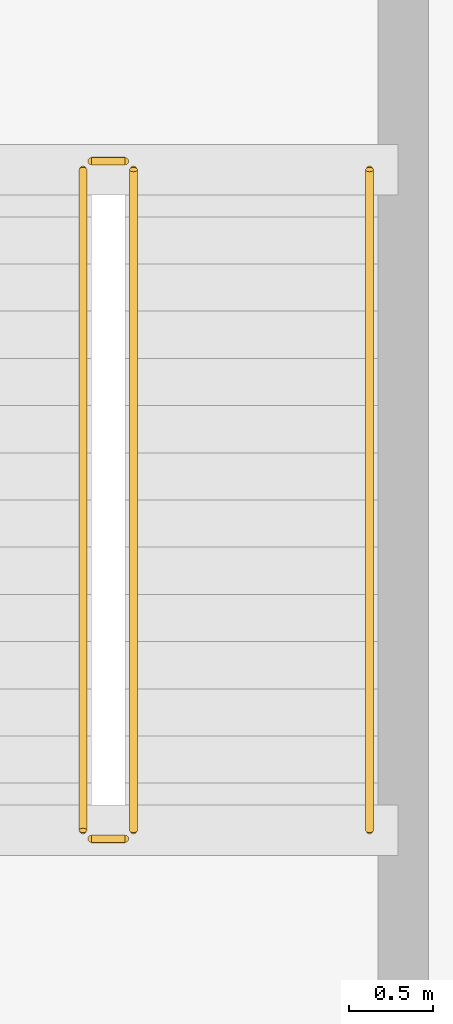
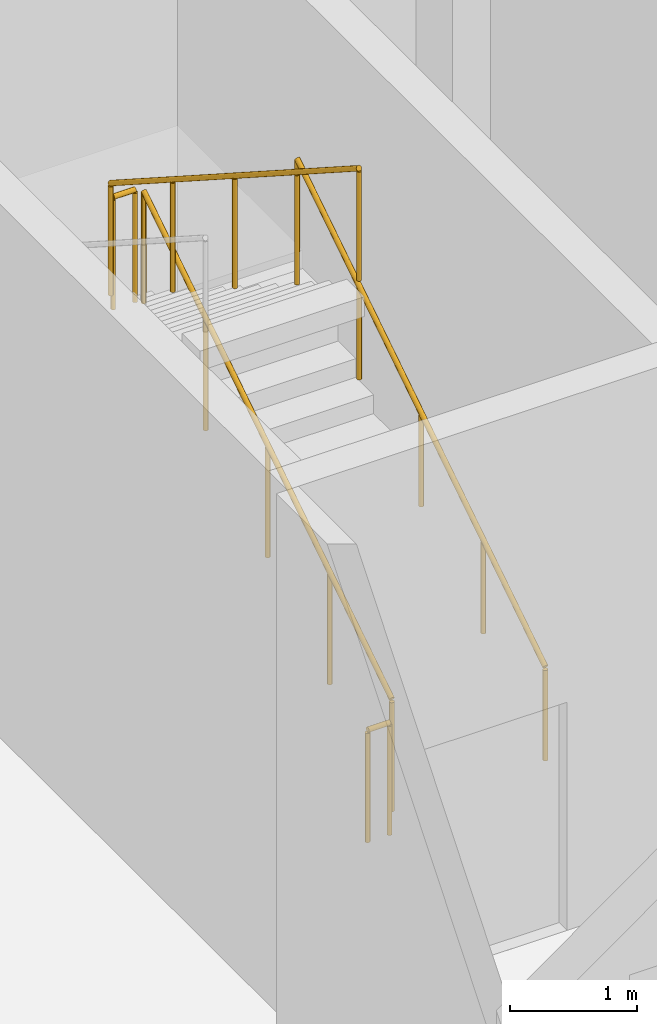
# One storey, part 68 of 84: 5 railings.
"""IFC4 building model written with IfcOpenShell, lengths in metres."""

import ifcopenshell
import ifcopenshell.guid

model = None  # the IFC model being written
_history = None  # IfcOwnerHistory: only IFC2X3 demands one
_inside = {}  # id of a spatial element -> (the spatial element, [elements in it])
_under = {}  # id of a project, library or spatial element -> (it, [spatial elements below it])
_declared = {}  # id of a project -> (the project, [libraries it declares])
_typed = {}  # id of a type object -> (the type object, [elements of that type])
_made_of = {}  # id of a material, layer set ... -> (it, [elements and type objects made of it])


def new_model(schema):
    """Start an empty IFC model of exactly this schema.

    Asked for "IFC4X3", IfcOpenShell would pick the latest addendum, in which some entities
    have other attributes; the version numbers below select the first issue.
    IFC2X3 requires an IfcOwnerHistory on every rooted entity: one is made here for all.
    """
    global model, _history
    if schema == "IFC4X3":
        model = ifcopenshell.file(schema_version=(4, 3, 0, 0))
    else:
        model = ifcopenshell.file(schema=schema)
    _inside.clear()
    _under.clear()
    _declared.clear()
    _typed.clear()
    _made_of.clear()
    _history = None
    if model.schema == "IFC2X3":
        org = make("IfcOrganization", Name="unknown")
        user = make(
            "IfcPersonAndOrganization",
            ThePerson=make("IfcPerson", FamilyName="unknown"),
            TheOrganization=org,
        )
        app = make(
            "IfcApplication",
            ApplicationDeveloper=org,
            Version="unknown",
            ApplicationFullName="unknown",
            ApplicationIdentifier="unknown",
        )
        _history = make(
            "IfcOwnerHistory",
            OwningUser=user,
            OwningApplication=app,
            ChangeAction="ADDED",
            CreationDate=0,
        )
    return model


def make(cls, **values):
    """One entity of the class cls with the attributes given. An attribute that is None is left unset."""
    return model.create_entity(
        cls, **{name: value for name, value in values.items() if value is not None}
    )


def rooted(cls, **values):
    """An entity with a GlobalId (a new one), such as an element, a storey or a relation."""
    return make(cls, GlobalId=ifcopenshell.guid.new(), OwnerHistory=_history, **values)


def si_unit(unit_type, name, prefix=None):
    """IfcSIUnit, for example si_unit("LENGTHUNIT", "METRE", prefix="MILLI")."""
    return make("IfcSIUnit", UnitType=unit_type, Prefix=prefix, Name=name)


def assignment(units):
    """IfcUnitAssignment: the units of a project."""
    return None if units is None else make("IfcUnitAssignment", Units=units)


def point(xyz):
    """IfcCartesianPoint."""
    return None if xyz is None else make("IfcCartesianPoint", Coordinates=xyz)


def direction(xyz):
    """IfcDirection."""
    return None if xyz is None else make("IfcDirection", DirectionRatios=xyz)


def frame(location, z_axis=None, x_axis=None):
    """IfcAxis2Placement3D, a coordinate frame: its origin and axes. An axis left out is left unset."""
    return make(
        "IfcAxis2Placement3D",
        Location=point(location),
        Axis=direction(z_axis),
        RefDirection=direction(x_axis),
    )


def frame_2d(location, x_axis=None):
    """IfcAxis2Placement2D, a coordinate frame in the plane: its origin and x axis."""
    return make(
        "IfcAxis2Placement2D", Location=point(location), RefDirection=direction(x_axis)
    )


def origin():
    """The frame at (0, 0, 0) with its axes left unset."""
    return frame((0.0, 0.0, 0.0))


def origin_2d():
    """The frame at (0, 0) in the plane with its x axis left unset."""
    return frame_2d((0.0, 0.0))


def place(relative_to, where):
    """IfcLocalPlacement: puts the frame where relative to a parent placement (None: the world)."""
    return make(
        "IfcLocalPlacement", PlacementRelTo=relative_to, RelativePlacement=where
    )


def context(
    kind, dimensions, precision=None, world=None, true_north=None, identifier=None
):
    """IfcGeometricRepresentationContext, for example the 3D "Model" context."""
    return make(
        "IfcGeometricRepresentationContext",
        ContextIdentifier=identifier,
        ContextType=kind,
        CoordinateSpaceDimension=dimensions,
        Precision=precision,
        WorldCoordinateSystem=world,
        TrueNorth=true_north,
    )


def subcontext(parent, identifier, kind, view, scale=None):
    """IfcGeometricRepresentationSubContext, for example "Body" below "Model"."""
    return make(
        "IfcGeometricRepresentationSubContext",
        ContextIdentifier=identifier,
        ContextType=kind,
        ParentContext=parent,
        TargetScale=scale,
        TargetView=view,
    )


def project(units=None, contexts=None):
    """IfcProject with its units and contexts."""
    return rooted(
        "IfcProject",
        Name="project",
        RepresentationContexts=contexts,
        UnitsInContext=assignment(units),
    )


def spatial(cls, under=None, at=None, **own):
    """A site, building, storey or space (cls), placed at a placement, below another one or the project."""
    s = rooted(cls, ObjectPlacement=at, **own)
    if under is not None:
        _under.setdefault(under.id(), (under, []))[1].append(s)
    return s


def profile(cls, at=None, kind="AREA", **sizes):
    """A parametric profile (cls). Its sizes go by their IFC names, for example OverallWidth=200.0."""
    return make(cls, ProfileType=kind, Position=at, **sizes)


def circle(**sizes):
    """IfcCircleProfileDef."""
    return profile("IfcCircleProfileDef", **sizes)


def extrude(swept, where, along, depth):
    """IfcExtrudedAreaSolid: the profile swept, set in the frame where, extruded along a direction by depth."""
    return make(
        "IfcExtrudedAreaSolid",
        SweptArea=swept,
        Position=where,
        ExtrudedDirection=direction(along),
        Depth=depth,
    )


def shape(context_of_items, identifier, shape_type, items):
    """IfcShapeRepresentation: the items that make up one representation, for example the "Body"."""
    return make(
        "IfcShapeRepresentation",
        ContextOfItems=context_of_items,
        RepresentationIdentifier=identifier,
        RepresentationType=shape_type,
        Items=items,
    )


def material(Name=None, Category=None):
    """IfcMaterial."""
    return make("IfcMaterial", Name=Name, Category=Category)


def made_of(thing, what):
    """Note that an element or type object is made of a material, layer set ...; save() writes the relation."""
    if what is not None:
        _made_of.setdefault(what.id(), (what, []))[1].append(thing)
    return thing


def type_object(cls, material=None, **own):
    """A type object (cls), such as IfcWallType, which elements share."""
    return made_of(rooted(cls, **own), material)


def element(
    cls,
    number,
    at=None,
    inside=None,
    cuts=None,
    type_object=None,
    material=None,
    context=None,
    identifier="Body",
    shape_type=None,
    held_by="IfcProductDefinitionShape",
    body=None,
    shapes=None,
    **own,
):
    """One element of the class cls, such as IfcWall. Its Tag is "e" and its number.

    at: its placement. inside: the storey or other place that contains it. cuts: it is an
    opening in that element (IfcRelVoidsElement). A single representation is given by context,
    identifier, shape_type and body (its items); several are given by shapes. held_by: the class
    of the entity that holds the representations. save() writes the other relations.
    """
    e = rooted(cls, Tag="e%d" % number, ObjectPlacement=at, **own)
    if body is not None:
        shapes = [shape(context, identifier, shape_type, body)]
    if shapes is not None:
        e.Representation = make(held_by, Representations=shapes)
    if inside is not None:
        _inside.setdefault(inside.id(), (inside, []))[1].append(e)
    if cuts is not None:
        rooted(
            "IfcRelVoidsElement", RelatingBuildingElement=cuts, RelatedOpeningElement=e
        )
    if type_object is not None:
        _typed.setdefault(type_object.id(), (type_object, []))[1].append(e)
    return made_of(e, material)


def aggregate(whole, parts):
    """IfcRelAggregates: a whole, such as a stair, and the parts it consists of."""
    return rooted("IfcRelAggregates", RelatingObject=whole, RelatedObjects=parts)


def save(model, path):
    """Write the relations noted so far, then the file.

    IfcRelAggregates (storeys below a building ...), IfcRelContainedInSpatialStructure (elements
    in a storey), IfcRelDefinesByType, IfcRelAssociatesMaterial and IfcRelDeclares: one each for
    every whole, place, type object, material and project.
    """
    for whole, parts in _under.values():
        aggregate(whole, parts)
    for where, things in _inside.values():
        rooted(
            "IfcRelContainedInSpatialStructure",
            RelatedElements=things,
            RelatingStructure=where,
        )
    for kind, things in _typed.values():
        rooted("IfcRelDefinesByType", RelatedObjects=things, RelatingType=kind)
    for what, things in _made_of.values():
        rooted("IfcRelAssociatesMaterial", RelatedObjects=things, RelatingMaterial=what)
    for by, libraries in _declared.values():
        rooted("IfcRelDeclares", RelatingContext=by, RelatedDefinitions=libraries)
    model.write(path)


model = new_model("IFC4")

# Units and contexts
model_context = context("Model", 3, precision=1e-05, world=origin(), true_north=direction((0.0, 1.0)))
body_context = subcontext(model_context, "Body", "Model", "MODEL_VIEW")
ifc_project = project(units=[si_unit("LENGTHUNIT", "METRE"), si_unit("AREAUNIT", "SQUARE_METRE"), si_unit("VOLUMEUNIT", "CUBIC_METRE"), si_unit("PLANEANGLEUNIT", "RADIAN"), si_unit("MASSUNIT", "GRAM", prefix="KILO")], contexts=[model_context])

# Site, building, storey
site_placement = place(None, origin())
site = spatial("IfcSite", under=ifc_project, at=site_placement, CompositionType="ELEMENT")
building_placement = place(site_placement, origin())
building = spatial("IfcBuilding", under=site, at=building_placement, Name="Mzevani Central Library", CompositionType="ELEMENT")
storey_placement = place(building_placement, origin())
storey = spatial("IfcBuildingStorey", under=building, at=storey_placement, Name="L00", CompositionType="ELEMENT", Elevation=0.0)

# Railings
ifc_material = material(Name="Brushed stainless steel rail", Category="steel")
railing_type_1 = type_object("IfcRailingType", Name="Interior Gallery and Stair Guard 1100", PredefinedType="BALUSTRADE", material=ifc_material)
railing_1_placement = place(storey_placement, frame((40.85009765625, 68.5, 0.179931640625)))
element("IfcRailing", 1, at=railing_1_placement, inside=storey, type_object=railing_type_1, Name="L00 ST-10 stair guard 1", PredefinedType="BALUSTRADE", context=body_context, shape_type="SweptSolid", body=[
    extrude(circle(Radius=0.02392578125, at=origin_2d()), frame((0.0, 0.0, 1.076171875), z_axis=(0.0, 0.841171666519, 0.540768182723), x_axis=(-1.0, 0.0, 0.0)), (0.0, 0.0, 1.0), 4.66015625),
    extrude(circle(Radius=0.02099609375, at=origin_2d()), origin(), (0.0, 0.0, 1.0), 1.052001953125),
    extrude(circle(Radius=0.02099609375, at=origin_2d()), frame((0.0, 0.97998046875, 0.6298828125)), (0.0, 0.0, 1.0), 1.052001953125),
    extrude(circle(Radius=0.02099609375, at=origin_2d()), frame((0.0, 1.9599609375, 1.260009765625)), (0.0, 0.0, 1.0), 1.052001953125),
    extrude(circle(Radius=0.02099609375, at=origin_2d()), frame((0.0, 2.93994140625, 1.89013671875)), (0.0, 0.0, 1.0), 1.052001953125),
    extrude(circle(Radius=0.02099609375, at=origin_2d()), frame((0.0, 3.919921875, 2.52001953125)), (0.0, 0.0, 1.0), 1.052001953125),
])
railing_2_placement = place(storey_placement, frame((40.800048828125, 72.469970703125, 2.699951171875)))
element("IfcRailing", 2, at=railing_2_placement, inside=storey, type_object=railing_type_1, Name="L00 ST-10 stair guard 2", PredefinedType="BALUSTRADE", context=body_context, shape_type="SweptSolid", body=[
    extrude(circle(Radius=0.02392578125, at=origin_2d()), frame((0.0, 0.0, 1.076171875), z_axis=(-1.0, 0.0, 0.0), x_axis=(0.0, -1.0, 0.0)), (0.0, 0.0, 1.0), 0.199951171875),
    extrude(circle(Radius=0.02099609375, at=origin_2d()), origin(), (0.0, 0.0, 1.0), 1.052001953125),
    extrude(circle(Radius=0.02099609375, at=origin_2d()), frame((-0.199951171875, 0.0, 0.0)), (0.0, 0.0, 1.0), 1.052001953125),
])
railing_3_placement = place(storey_placement, frame((40.550048828125, 72.419921875, 2.8798828125)))
element("IfcRailing", 3, at=railing_3_placement, inside=storey, type_object=railing_type_1, Name="L00 ST-10 stair guard 3", PredefinedType="BALUSTRADE", context=body_context, shape_type="SweptSolid", body=[
    extrude(circle(Radius=0.02392578125, at=origin_2d()), frame((0.0, 0.0, 1.076171875), z_axis=(0.0, -0.841171666519, 0.540768182723), x_axis=(1.0, 0.0, 0.0)), (0.0, 0.0, 1.0), 4.66015625),
    extrude(circle(Radius=0.02099609375, at=origin_2d()), origin(), (0.0, 0.0, 1.0), 1.052001953125),
    extrude(circle(Radius=0.02099609375, at=origin_2d()), frame((0.0, -0.97998046875, 0.6298828125)), (0.0, 0.0, 1.0), 1.052001953125),
    extrude(circle(Radius=0.02099609375, at=origin_2d()), frame((0.0, -1.9599609375, 1.260009765625)), (0.0, 0.0, 1.0), 1.052001953125),
    extrude(circle(Radius=0.02099609375, at=origin_2d()), frame((0.0, -2.93994140625, 1.89013671875)), (0.0, 0.0, 1.0), 1.052001953125),
    extrude(circle(Radius=0.02099609375, at=origin_2d()), frame((0.0, -3.919921875, 2.52001953125)), (0.0, 0.0, 1.0), 1.052001953125),
])
railing_4_placement = place(storey_placement, frame((40.800048828125, 68.449951171875, 0.0)))
element("IfcRailing", 4, at=railing_4_placement, inside=storey, type_object=railing_type_1, Name="L00 ST-10 stair guard 4", PredefinedType="BALUSTRADE", context=body_context, shape_type="SweptSolid", body=[
    extrude(circle(Radius=0.02392578125, at=origin_2d()), frame((0.0, 0.0, 1.076171875), z_axis=(-1.0, 0.0, 0.0), x_axis=(0.0, -1.0, 0.0)), (0.0, 0.0, 1.0), 0.199951171875),
    extrude(circle(Radius=0.02099609375, at=origin_2d()), origin(), (0.0, 0.0, 1.0), 1.052001953125),
    extrude(circle(Radius=0.02099609375, at=origin_2d()), frame((-0.199951171875, 0.0, 0.0)), (0.0, 0.0, 1.0), 1.052001953125),
])
railing_type_2 = type_object("IfcRailingType", Name="Stair Wall Handrail 920", PredefinedType="HANDRAIL", material=ifc_material)
railing_5_placement = place(storey_placement, frame((42.25, 68.5, 0.179931640625)))
element("IfcRailing", 5, at=railing_5_placement, inside=storey, type_object=railing_type_2, Name="L00 ST-10 stair handrail 1", PredefinedType="HANDRAIL", context=body_context, shape_type="SweptSolid", body=[
    extrude(circle(Radius=0.02392578125, at=origin_2d()), frame((0.0, 0.0, 0.89599609375), z_axis=(0.0, 0.841171666519, 0.540768182723), x_axis=(-1.0, 0.0, 0.0)), (0.0, 0.0, 1.0), 4.66015625),
    extrude(circle(Radius=0.02099609375, at=origin_2d()), origin(), (0.0, 0.0, 1.0), 0.871826171875),
    extrude(circle(Radius=0.02099609375, at=origin_2d()), frame((0.0, 0.97998046875, 0.6298828125)), (0.0, 0.0, 1.0), 0.871826171875),
    extrude(circle(Radius=0.02099609375, at=origin_2d()), frame((0.0, 1.9599609375, 1.260009765625)), (0.0, 0.0, 1.0), 0.871826171875),
    extrude(circle(Radius=0.02099609375, at=origin_2d()), frame((0.0, 2.93994140625, 1.89013671875)), (0.0, 0.0, 1.0), 0.871826171875),
    extrude(circle(Radius=0.02099609375, at=origin_2d()), frame((0.0, 3.919921875, 2.52001953125)), (0.0, 0.0, 1.0), 0.871826171875),
])

save(model, "model.ifc")
